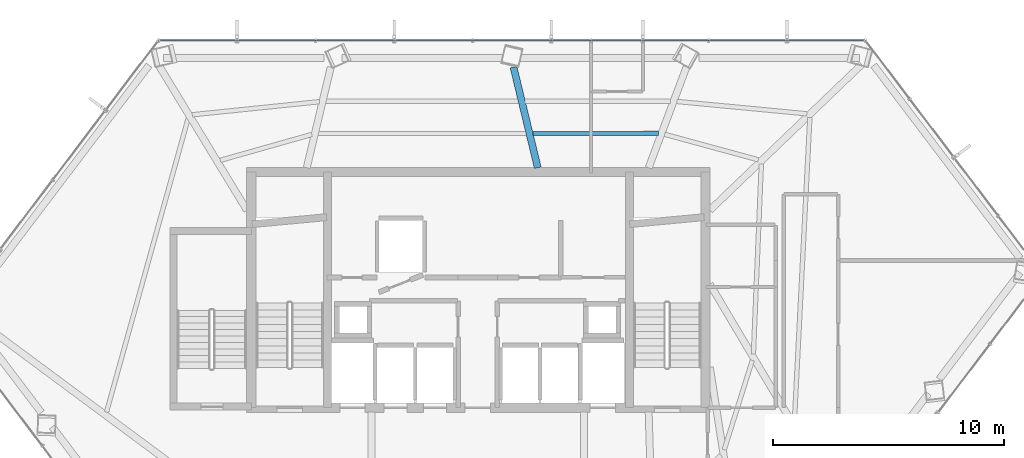
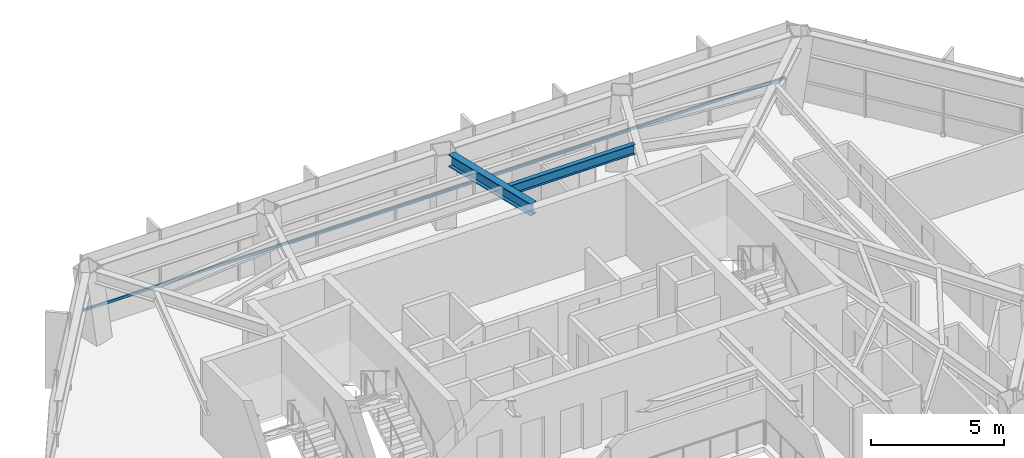
# One storey, part 15 of 29: 2 beams, 1 member, 1 element without a shape of its own.
"""IFC4 building model written with IfcOpenShell, lengths in metres."""

from ifc_helpers import new_model, si_unit, direction, frame, origin, origin_2d, place, context, subcontext, project, spatial, hollow_rectangle, i_section, extrude, material, layer, layer_set, material_profile, profile_set, type_object, element, aggregate, save


model = new_model("IFC4")

# Units and contexts
model_context = context("Model", 3, precision=1e-05, world=origin(), true_north=direction((0.0, 1.0)))
body_context = subcontext(model_context, "Body", "Model", "MODEL_VIEW")
ifc_project = project(units=[si_unit("LENGTHUNIT", "METRE"), si_unit("AREAUNIT", "SQUARE_METRE"), si_unit("VOLUMEUNIT", "CUBIC_METRE"), si_unit("PLANEANGLEUNIT", "RADIAN"), si_unit("MASSUNIT", "GRAM", prefix="KILO")], contexts=[model_context])

# Site, building, storey
site_placement = place(None, origin())
site = spatial("IfcSite", under=ifc_project, at=site_placement, CompositionType="ELEMENT")
building_placement = place(site_placement, origin())
building = spatial("IfcBuilding", under=site, at=building_placement, Name="Zarrinselat Tower", CompositionType="ELEMENT")
storey_placement = place(building_placement, frame((0.0, 0.0, 142.1201171875)))
storey = spatial("IfcBuildingStorey", under=building, at=storey_placement, Name="L34", CompositionType="ELEMENT", Elevation=142.1201171875)

# Beams
ifc_material_1 = material(Name="Steel S355J2", Category="steel")
ifc_material_profile_1 = material_profile(ifc_material_1, i_section(OverallWidth=0.300048828125, OverallDepth=0.550048828125, WebThickness=0.014892578125, FlangeThickness=0.029052734375, at=origin_2d()), Name="HEB 550")
ifc_profile_set_1 = profile_set([ifc_material_profile_1], Name="Steel S355J2")
beam_type_1 = type_object("IfcBeamType", Name="BM-HEB550", PredefinedType="BEAM", material=ifc_profile_set_1)
beam_1_placement = place(storey_placement, frame((39.951416015625, 47.992431640625, 3.224853515625), z_axis=(0.23421228581, -0.972185478793, 0.0), x_axis=(0.972185478793, 0.23421228581, 0.0)))
element("IfcBeam", 1, at=beam_1_placement, inside=storey, type_object=beam_type_1, Name="L34 Radial Primary Girder RG03", PredefinedType="BEAM", context=body_context, shape_type="SweptSolid", body=[
    extrude(i_section(OverallWidth=0.300048828125, OverallDepth=0.550048828125, WebThickness=0.014892578125, FlangeThickness=0.029052734375, at=origin_2d()), origin(), (0.0, 0.0, 1.0), 4.47705078125),
])
ifc_material_2 = material(Name="Steel S355J2", Category="steel")
ifc_material_profile_2 = material_profile(ifc_material_2, i_section(OverallWidth=0.18994140625, OverallDepth=0.449951171875, WebThickness=0.009521484375, FlangeThickness=0.0146484375, at=origin_2d()), Name="IPE 450")
ifc_profile_set_2 = profile_set([ifc_material_profile_2], Name="Steel S355J2")
beam_type_2 = type_object("IfcBeamType", Name="BM-IPE450", PredefinedType="JOIST", material=ifc_profile_set_2)
beam_2_placement = place(storey_placement, frame((40.783447265625, 45.1201171875, 3.27490234375), z_axis=(0.99999963576, 0.000853510313, 0.0), x_axis=(-0.000853510313, 0.99999963576, 0.0)))
element("IfcBeam", 2, at=beam_2_placement, inside=storey, type_object=beam_type_2, Name="L34 Composite Floor Joist 7-2", PredefinedType="JOIST", context=body_context, shape_type="SweptSolid", body=[
    extrude(i_section(OverallWidth=0.18994140625, OverallDepth=0.449951171875, WebThickness=0.009521484375, FlangeThickness=0.0146484375, at=origin_2d()), origin(), (0.0, 0.0, 1.0), 5.434814453125),
])

# Curtain wall, member
ifc_material_3 = material(Name="Extruded Aluminium Alloy EN AW-6063 T6", Category="aluminium")
ifc_layer = layer(ifc_material_3, 0.175048828125)
ifc_layer_set = layer_set([ifc_layer], Name="Extruded Aluminium Alloy EN AW-6063 T6")
curtain_wall_type = type_object("IfcCurtainWallType", Name="CWS-HTL", PredefinedType="NOTDEFINED", material=ifc_layer_set)
curtain_wall_placement = place(storey_placement, origin())
curtain_wall = element("IfcCurtainWall", 3, at=curtain_wall_placement, inside=storey, type_object=curtain_wall_type, Name="L34 Unitised Curtain Wall CW-L34-E01", PredefinedType="NOTDEFINED")
ifc_material_4 = material(Name="Extruded Aluminium Alloy EN AW-6063 T6", Category="aluminium")
ifc_material_profile_3 = material_profile(ifc_material_4, hollow_rectangle(XDim=0.06005859375, YDim=0.1201171875, WallThickness=0.00390625, at=origin_2d()), Name="RHS 120x60x4")
ifc_profile_set_3 = profile_set([ifc_material_profile_3], Name="Extruded Aluminium Alloy EN AW-6063 T6")
member_type = type_object("IfcMemberType", Name="MEM-CW-TRN2", PredefinedType="USERDEFINED", material=ifc_profile_set_3)
member_placement = place(storey_placement, frame((55.097900390625, 49.14990234375, 0.949951171875), z_axis=(-1.0, 0.0, 0.0), x_axis=(0.0, -1.0, 0.0)))
member = element("IfcMember", 4, at=member_placement, type_object=member_type, Name="CW-L34-E01 Transom 1", ObjectType="TRANSOM", PredefinedType="USERDEFINED", context=body_context, shape_type="SweptSolid", body=[
    extrude(hollow_rectangle(XDim=0.06005859375, YDim=0.1201171875, WallThickness=0.00390625, at=origin_2d()), origin(), (0.0, 0.0, 1.0), 30.426513671875),
])
aggregate(curtain_wall, [member])

save(model, "model.ifc")
